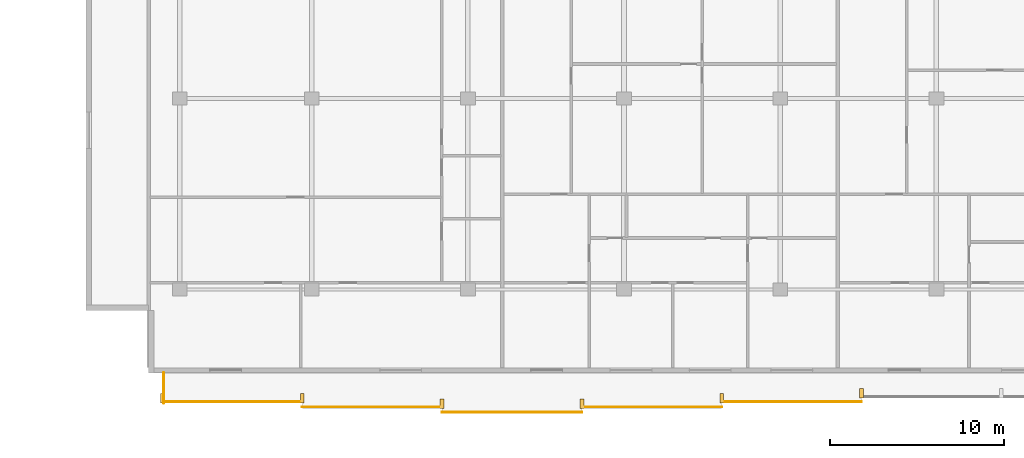
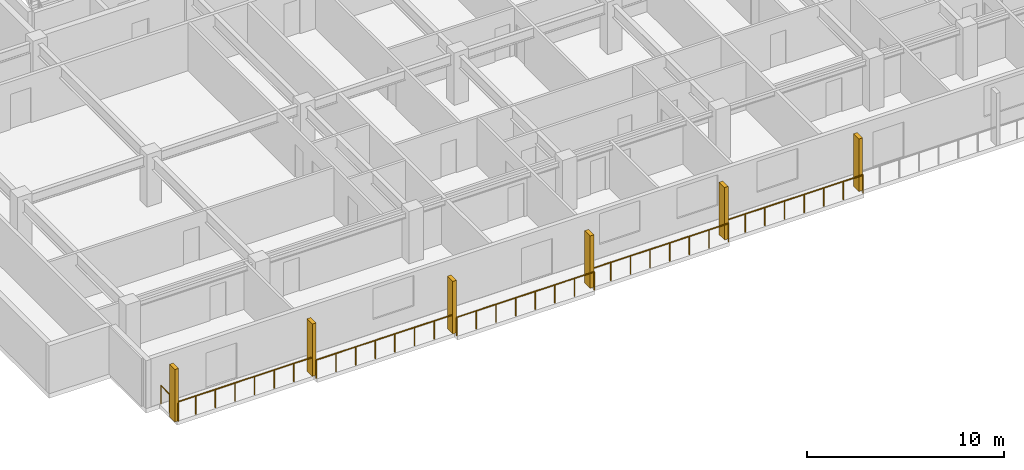
# One storey, part 17 of 21: 6 railings, 6 shading devices.
"""IFC4 building model written with IfcOpenShell, lengths in metres."""

from ifc_helpers import new_model, si_unit, direction, frame, origin, origin_2d, place, context, subcontext, project, spatial, rectangle, circle, extrude, material, type_object, element, save


model = new_model("IFC4")

# Units and contexts
model_context = context("Model", 3, precision=1e-05, world=origin(), true_north=direction((0.0, 1.0)))
body_context = subcontext(model_context, "Body", "Model", "MODEL_VIEW")
ifc_project = project(units=[si_unit("LENGTHUNIT", "METRE"), si_unit("AREAUNIT", "SQUARE_METRE"), si_unit("VOLUMEUNIT", "CUBIC_METRE"), si_unit("PLANEANGLEUNIT", "RADIAN"), si_unit("MASSUNIT", "GRAM", prefix="KILO")], contexts=[model_context])

# Site, building, storey
site_placement = place(None, origin())
site = spatial("IfcSite", under=ifc_project, at=site_placement, CompositionType="ELEMENT")
building_placement = place(site_placement, origin())
building = spatial("IfcBuilding", under=site, at=building_placement, Name="Korimba Cascade Residences", CompositionType="ELEMENT")
storey_placement = place(building_placement, frame((0.0, 0.0, 119.800048828125)))
storey = spatial("IfcBuildingStorey", under=building, at=storey_placement, Name="L34", CompositionType="ELEMENT", Elevation=119.800048828125)

# Railings
ifc_material_1 = material(Name="Laminated Glass and Bronze Balustrade", Category="glass")
railing_type = type_object("IfcRailingType", Name="RLG-LOG-1150", PredefinedType="BALUSTRADE", material=ifc_material_1)
for number, where, name in (
    (1, (73.5, -10.669921875, 0.0), "L34 Perimeter Guardrail RLG-L34-T2-LOG-01"),
    (2, (81.55712890625, -10.969970703125, 0.0), "L34 Perimeter Guardrail RLG-L34-T2-LOG-02"),
    (3, (89.6142578125, -11.27001953125, 0.0), "L34 Perimeter Guardrail RLG-L34-T2-LOG-03"),
    (4, (97.67138671875, -10.969970703125, 0.0), "L34 Perimeter Guardrail RLG-L34-T2-LOG-04"),
    (5, (105.728515625, -10.669921875, 0.0), "L34 Perimeter Guardrail RLG-L34-T2-LOG-05"),
):
    element("IfcRailing", number, at=place(storey_placement, frame(where)), inside=storey, type_object=railing_type, Name=name, PredefinedType="BALUSTRADE", context=body_context, shape_type="SweptSolid", body=[
        extrude(circle(Radius=0.02392578125, at=origin_2d()), frame((0.0, 0.0, 1.1259765625), z_axis=(1.0, 0.0, 0.0), x_axis=(0.0, 1.0, 0.0)), (0.0, 0.0, 1.0), 8.05712890625),
        extrude(circle(Radius=0.02099609375, at=origin_2d()), origin(), (0.0, 0.0, 1.0), 1.101806640625),
        extrude(circle(Radius=0.02099609375, at=origin_2d()), frame((1.151123046875, 0.0, 0.0)), (0.0, 0.0, 1.0), 1.101806640625),
        extrude(circle(Radius=0.02099609375, at=origin_2d()), frame((2.302001953125, 0.0, 0.0)), (0.0, 0.0, 1.0), 1.101806640625),
        extrude(circle(Radius=0.02099609375, at=origin_2d()), frame((3.453125, 0.0, 0.0)), (0.0, 0.0, 1.0), 1.101806640625),
        extrude(circle(Radius=0.02099609375, at=origin_2d()), frame((4.60400390625, 0.0, 0.0)), (0.0, 0.0, 1.0), 1.101806640625),
        extrude(circle(Radius=0.02099609375, at=origin_2d()), frame((5.755126953125, 0.0, 0.0)), (0.0, 0.0, 1.0), 1.101806640625),
        extrude(circle(Radius=0.02099609375, at=origin_2d()), frame((6.906005859375, 0.0, 0.0)), (0.0, 0.0, 1.0), 1.101806640625),
        extrude(circle(Radius=0.02099609375, at=origin_2d()), frame((8.05712890625, 0.0, 0.0)), (0.0, 0.0, 1.0), 1.101806640625),
    ])
railing_placement = place(storey_placement, frame((73.580078125, -9.0, 0.0)))
element("IfcRailing", 6, at=railing_placement, inside=storey, type_object=railing_type, Name="L34 Perimeter Guardrail RLG-L34-T2-LOG-08", PredefinedType="BALUSTRADE", context=body_context, shape_type="SweptSolid", body=[
    extrude(circle(Radius=0.02392578125, at=origin_2d()), frame((0.0, 0.0, 1.1259765625), z_axis=(0.0, -1.0, 0.0), x_axis=(1.0, 0.0, 0.0)), (0.0, 0.0, 1.0), 1.75),
    extrude(circle(Radius=0.02099609375, at=origin_2d()), origin(), (0.0, 0.0, 1.0), 1.101806640625),
    extrude(circle(Radius=0.02099609375, at=origin_2d()), frame((0.0, -0.875, 0.0)), (0.0, 0.0, 1.0), 1.101806640625),
    extrude(circle(Radius=0.02099609375, at=origin_2d()), frame((0.0, -1.75, 0.0)), (0.0, 0.0, 1.0), 1.101806640625),
])

# Shading devices
ifc_material_2 = material(Name="Honed Sandstone Precast Fin", Category="masonry")
shading_device_type = type_object("IfcShadingDeviceType", Name="SHD-FIN-550", PredefinedType="USERDEFINED", material=ifc_material_2)
for number, where, z_axis, x_axis, name in (
    (7, (73.5, -10.47509765625, 0.0), (0.0, 0.0, 1.0), (1.0, 0.0, 0.0), "L34 T2 Warm-Stone Loggia Fin 1"),
    (8, (81.55712890625, -10.47509765625, 0.0), (0.0, 0.0, 1.0), (1.0, 0.0, 0.0), "L34 T2 Warm-Stone Loggia Fin 2"),
    (9, (89.6142578125, -10.77490234375, 0.0), (0.0, 0.0, 1.0), (1.0, 0.0, 0.0), "L34 T2 Warm-Stone Loggia Fin 3"),
    (10, (97.67138671875, -10.77490234375, 0.0), (0.0, 0.0, 1.0), (1.0, 0.0, 0.0), "L34 T2 Warm-Stone Loggia Fin 4"),
    (11, (105.728515625, -10.47509765625, 0.0), (0.0, 0.0, 1.0), (1.0, 0.0, 0.0), "L34 T2 Warm-Stone Loggia Fin 5"),
    (12, (113.78564453125, -10.175048828125, 0.0), (0.0, 0.0, 1.0), (1.0, 0.0, 0.0), "L34 T2 Warm-Stone Loggia Fin 6"),
):
    element("IfcShadingDevice", number, at=place(storey_placement, frame(where, z_axis=z_axis, x_axis=x_axis)), inside=storey, type_object=shading_device_type, Name=name, ObjectType="FIN", PredefinedType="USERDEFINED", context=body_context, shape_type="SweptSolid", body=[
        extrude(rectangle(XDim=0.219970703125, YDim=0.550048828125, at=origin_2d()), origin(), (0.0, 0.0, 1.0), 3.25),
    ])

save(model, "model.ifc")
